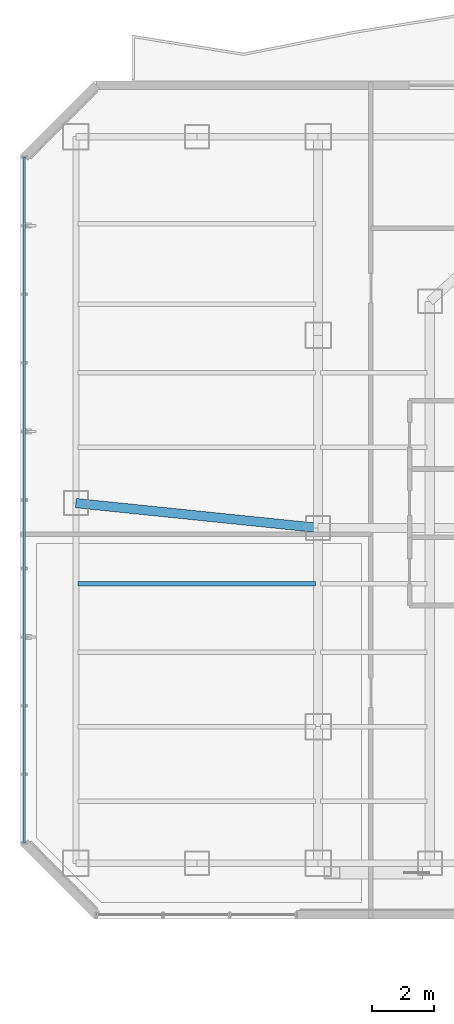
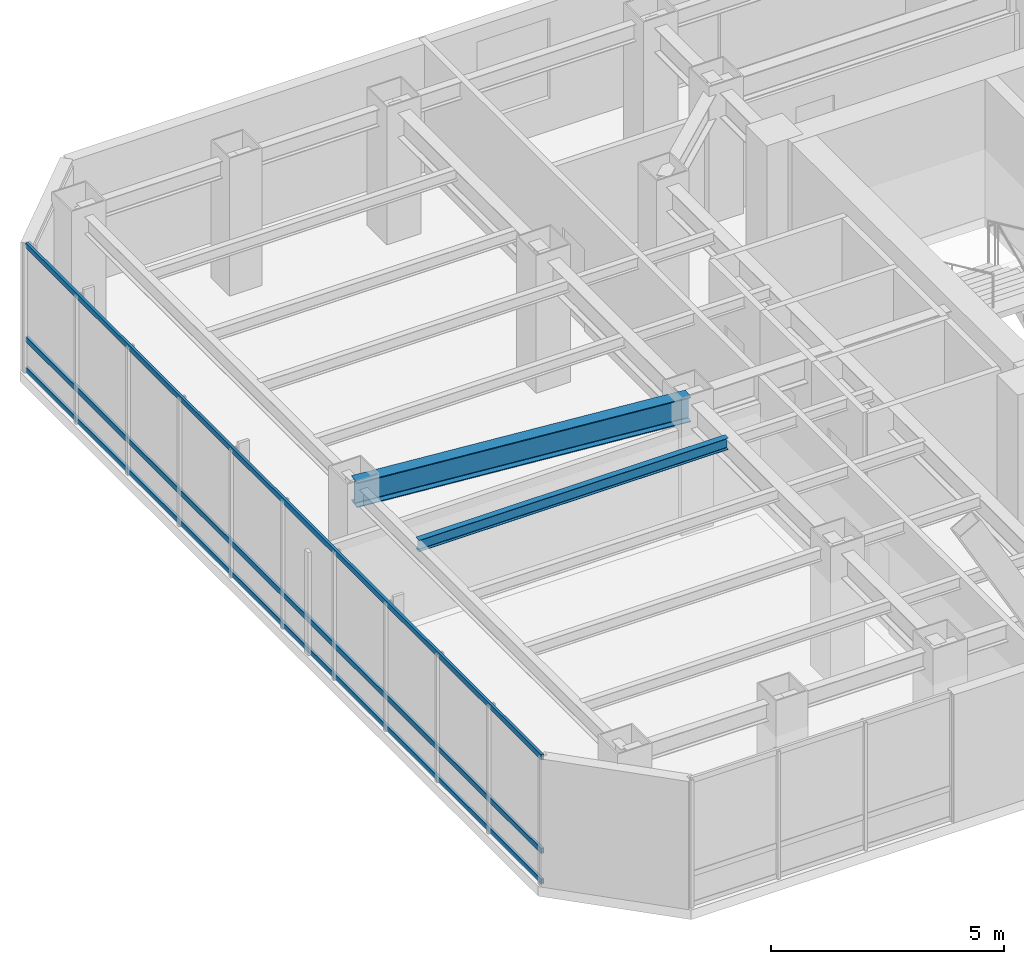
# One storey, part 7 of 28: 3 members, 2 beams, 1 element without a shape of its own.
"""IFC4 building model written with IfcOpenShell, lengths in metres."""

import ifcopenshell
import ifcopenshell.guid

model = None  # the IFC model being written
_history = None  # IfcOwnerHistory: only IFC2X3 demands one
_inside = {}  # id of a spatial element -> (the spatial element, [elements in it])
_under = {}  # id of a project, library or spatial element -> (it, [spatial elements below it])
_declared = {}  # id of a project -> (the project, [libraries it declares])
_typed = {}  # id of a type object -> (the type object, [elements of that type])
_made_of = {}  # id of a material, layer set ... -> (it, [elements and type objects made of it])


def new_model(schema):
    """Start an empty IFC model of exactly this schema.

    Asked for "IFC4X3", IfcOpenShell would pick the latest addendum, in which some entities
    have other attributes; the version numbers below select the first issue.
    IFC2X3 requires an IfcOwnerHistory on every rooted entity: one is made here for all.
    """
    global model, _history
    if schema == "IFC4X3":
        model = ifcopenshell.file(schema_version=(4, 3, 0, 0))
    else:
        model = ifcopenshell.file(schema=schema)
    _inside.clear()
    _under.clear()
    _declared.clear()
    _typed.clear()
    _made_of.clear()
    _history = None
    if model.schema == "IFC2X3":
        org = make("IfcOrganization", Name="unknown")
        user = make(
            "IfcPersonAndOrganization",
            ThePerson=make("IfcPerson", FamilyName="unknown"),
            TheOrganization=org,
        )
        app = make(
            "IfcApplication",
            ApplicationDeveloper=org,
            Version="unknown",
            ApplicationFullName="unknown",
            ApplicationIdentifier="unknown",
        )
        _history = make(
            "IfcOwnerHistory",
            OwningUser=user,
            OwningApplication=app,
            ChangeAction="ADDED",
            CreationDate=0,
        )
    return model


def make(cls, **values):
    """One entity of the class cls with the attributes given. An attribute that is None is left unset."""
    return model.create_entity(
        cls, **{name: value for name, value in values.items() if value is not None}
    )


def rooted(cls, **values):
    """An entity with a GlobalId (a new one), such as an element, a storey or a relation."""
    return make(cls, GlobalId=ifcopenshell.guid.new(), OwnerHistory=_history, **values)


def si_unit(unit_type, name, prefix=None):
    """IfcSIUnit, for example si_unit("LENGTHUNIT", "METRE", prefix="MILLI")."""
    return make("IfcSIUnit", UnitType=unit_type, Prefix=prefix, Name=name)


def assignment(units):
    """IfcUnitAssignment: the units of a project."""
    return None if units is None else make("IfcUnitAssignment", Units=units)


def point(xyz):
    """IfcCartesianPoint."""
    return None if xyz is None else make("IfcCartesianPoint", Coordinates=xyz)


def direction(xyz):
    """IfcDirection."""
    return None if xyz is None else make("IfcDirection", DirectionRatios=xyz)


def frame(location, z_axis=None, x_axis=None):
    """IfcAxis2Placement3D, a coordinate frame: its origin and axes. An axis left out is left unset."""
    return make(
        "IfcAxis2Placement3D",
        Location=point(location),
        Axis=direction(z_axis),
        RefDirection=direction(x_axis),
    )


def frame_2d(location, x_axis=None):
    """IfcAxis2Placement2D, a coordinate frame in the plane: its origin and x axis."""
    return make(
        "IfcAxis2Placement2D", Location=point(location), RefDirection=direction(x_axis)
    )


def origin():
    """The frame at (0, 0, 0) with its axes left unset."""
    return frame((0.0, 0.0, 0.0))


def origin_2d():
    """The frame at (0, 0) in the plane with its x axis left unset."""
    return frame_2d((0.0, 0.0))


def place(relative_to, where):
    """IfcLocalPlacement: puts the frame where relative to a parent placement (None: the world)."""
    return make(
        "IfcLocalPlacement", PlacementRelTo=relative_to, RelativePlacement=where
    )


def context(
    kind, dimensions, precision=None, world=None, true_north=None, identifier=None
):
    """IfcGeometricRepresentationContext, for example the 3D "Model" context."""
    return make(
        "IfcGeometricRepresentationContext",
        ContextIdentifier=identifier,
        ContextType=kind,
        CoordinateSpaceDimension=dimensions,
        Precision=precision,
        WorldCoordinateSystem=world,
        TrueNorth=true_north,
    )


def subcontext(parent, identifier, kind, view, scale=None):
    """IfcGeometricRepresentationSubContext, for example "Body" below "Model"."""
    return make(
        "IfcGeometricRepresentationSubContext",
        ContextIdentifier=identifier,
        ContextType=kind,
        ParentContext=parent,
        TargetScale=scale,
        TargetView=view,
    )


def project(units=None, contexts=None):
    """IfcProject with its units and contexts."""
    return rooted(
        "IfcProject",
        Name="project",
        RepresentationContexts=contexts,
        UnitsInContext=assignment(units),
    )


def spatial(cls, under=None, at=None, **own):
    """A site, building, storey or space (cls), placed at a placement, below another one or the project."""
    s = rooted(cls, ObjectPlacement=at, **own)
    if under is not None:
        _under.setdefault(under.id(), (under, []))[1].append(s)
    return s


def profile(cls, at=None, kind="AREA", **sizes):
    """A parametric profile (cls). Its sizes go by their IFC names, for example OverallWidth=200.0."""
    return make(cls, ProfileType=kind, Position=at, **sizes)


def hollow_rectangle(**sizes):
    """IfcRectangleHollowProfileDef."""
    return profile("IfcRectangleHollowProfileDef", **sizes)


def i_section(**sizes):
    """IfcIShapeProfileDef."""
    return profile("IfcIShapeProfileDef", **sizes)


def extrude(swept, where, along, depth):
    """IfcExtrudedAreaSolid: the profile swept, set in the frame where, extruded along a direction by depth."""
    return make(
        "IfcExtrudedAreaSolid",
        SweptArea=swept,
        Position=where,
        ExtrudedDirection=direction(along),
        Depth=depth,
    )


def shape(context_of_items, identifier, shape_type, items):
    """IfcShapeRepresentation: the items that make up one representation, for example the "Body"."""
    return make(
        "IfcShapeRepresentation",
        ContextOfItems=context_of_items,
        RepresentationIdentifier=identifier,
        RepresentationType=shape_type,
        Items=items,
    )


def material(Name=None, Category=None):
    """IfcMaterial."""
    return make("IfcMaterial", Name=Name, Category=Category)


def layer(
    of_material, thickness, ventilated=None, Name=None, Category=None, Priority=None
):
    """IfcMaterialLayer: one layer of a wall or slab, of a material (None: an air gap)."""
    return make(
        "IfcMaterialLayer",
        Material=of_material,
        LayerThickness=thickness,
        IsVentilated=ventilated,
        Name=Name,
        Category=Category,
        Priority=Priority,
    )


def layer_set(layers, Name=None):
    """IfcMaterialLayerSet."""
    return make("IfcMaterialLayerSet", MaterialLayers=layers, LayerSetName=Name)


def material_profile(
    of_material, cross_section, Name=None, Category=None, Priority=None
):
    """IfcMaterialProfile: a cross section and its material."""
    return make(
        "IfcMaterialProfile",
        Name=Name,
        Material=of_material,
        Profile=cross_section,
        Priority=Priority,
        Category=Category,
    )


def profile_set(profiles, Name=None, composite=None):
    """IfcMaterialProfileSet."""
    return make(
        "IfcMaterialProfileSet",
        Name=Name,
        MaterialProfiles=profiles,
        CompositeProfile=composite,
    )


def made_of(thing, what):
    """Note that an element or type object is made of a material, layer set ...; save() writes the relation."""
    if what is not None:
        _made_of.setdefault(what.id(), (what, []))[1].append(thing)
    return thing


def type_object(cls, material=None, **own):
    """A type object (cls), such as IfcWallType, which elements share."""
    return made_of(rooted(cls, **own), material)


def element(
    cls,
    number,
    at=None,
    inside=None,
    cuts=None,
    type_object=None,
    material=None,
    context=None,
    identifier="Body",
    shape_type=None,
    held_by="IfcProductDefinitionShape",
    body=None,
    shapes=None,
    **own,
):
    """One element of the class cls, such as IfcWall. Its Tag is "e" and its number.

    at: its placement. inside: the storey or other place that contains it. cuts: it is an
    opening in that element (IfcRelVoidsElement). A single representation is given by context,
    identifier, shape_type and body (its items); several are given by shapes. held_by: the class
    of the entity that holds the representations. save() writes the other relations.
    """
    e = rooted(cls, Tag="e%d" % number, ObjectPlacement=at, **own)
    if body is not None:
        shapes = [shape(context, identifier, shape_type, body)]
    if shapes is not None:
        e.Representation = make(held_by, Representations=shapes)
    if inside is not None:
        _inside.setdefault(inside.id(), (inside, []))[1].append(e)
    if cuts is not None:
        rooted(
            "IfcRelVoidsElement", RelatingBuildingElement=cuts, RelatedOpeningElement=e
        )
    if type_object is not None:
        _typed.setdefault(type_object.id(), (type_object, []))[1].append(e)
    return made_of(e, material)


def aggregate(whole, parts):
    """IfcRelAggregates: a whole, such as a stair, and the parts it consists of."""
    return rooted("IfcRelAggregates", RelatingObject=whole, RelatedObjects=parts)


def save(model, path):
    """Write the relations noted so far, then the file.

    IfcRelAggregates (storeys below a building ...), IfcRelContainedInSpatialStructure (elements
    in a storey), IfcRelDefinesByType, IfcRelAssociatesMaterial and IfcRelDeclares: one each for
    every whole, place, type object, material and project.
    """
    for whole, parts in _under.values():
        aggregate(whole, parts)
    for where, things in _inside.values():
        rooted(
            "IfcRelContainedInSpatialStructure",
            RelatedElements=things,
            RelatingStructure=where,
        )
    for kind, things in _typed.values():
        rooted("IfcRelDefinesByType", RelatedObjects=things, RelatingType=kind)
    for what, things in _made_of.values():
        rooted("IfcRelAssociatesMaterial", RelatedObjects=things, RelatingMaterial=what)
    for by, libraries in _declared.values():
        rooted("IfcRelDeclares", RelatingContext=by, RelatedDefinitions=libraries)
    model.write(path)


model = new_model("IFC4")

# Units and contexts
model_context = context("Model", 3, precision=1e-05, world=origin(), true_north=direction((0.0, 1.0)))
body_context = subcontext(model_context, "Body", "Model", "MODEL_VIEW")
ifc_project = project(units=[si_unit("LENGTHUNIT", "METRE"), si_unit("AREAUNIT", "SQUARE_METRE"), si_unit("VOLUMEUNIT", "CUBIC_METRE"), si_unit("PLANEANGLEUNIT", "RADIAN"), si_unit("MASSUNIT", "GRAM", prefix="KILO")], contexts=[model_context])

# Site, building, storey
site_placement = place(None, origin())
site = spatial("IfcSite", under=ifc_project, at=site_placement, CompositionType="ELEMENT")
building_placement = place(site_placement, origin())
building = spatial("IfcBuilding", under=site, at=building_placement, Name="Hatsunagi Terrace Concourse", CompositionType="ELEMENT")
storey_placement = place(building_placement, frame((0.0, 0.0, 138.449951171875)))
storey = spatial("IfcBuildingStorey", under=building, at=storey_placement, Name="L36", CompositionType="ELEMENT", Elevation=138.449951171875)

# Curtain wall, members
ifc_material_1 = material(Name="Anodised Aluminium Alloy 6063-T5", Category="aluminium")
ifc_layer = layer(ifc_material_1, 0.199951171875)
ifc_layer_set = layer_set([ifc_layer], Name="OfficeZone1_CW03")
curtain_wall_type = type_object("IfcCurtainWallType", Name="OfficeZone1_CW03", PredefinedType="NOTDEFINED", material=ifc_layer_set)
curtain_wall_placement = place(storey_placement, origin())
curtain_wall = element("IfcCurtainWall", 1, at=curtain_wall_placement, inside=storey, type_object=curtain_wall_type, Name="Unitised Curtain Wall CW-03 CW-L36-09", PredefinedType="NOTDEFINED")
ifc_material_2 = material(Name="Anodised Aluminium Alloy 6063-T5", Category="aluminium")
ifc_material_profile_1 = material_profile(ifc_material_2, hollow_rectangle(XDim=0.06494140625, YDim=0.139892578125, WallThickness=0.00390625, at=origin_2d()), Name="ALU-TRN-140x65x4")
ifc_profile_set_1 = profile_set([ifc_material_profile_1], Name="Anodised Aluminium Alloy 6063-T5")
member_type = type_object("IfcMemberType", Name="CurtainWallTransom_140x65", PredefinedType="USERDEFINED", material=ifc_profile_set_1)
member_1_placement = place(storey_placement, frame((9.739990234375, 25.85791015625, 0.050048828125), z_axis=(0.0, 1.0, 0.0), x_axis=(-1.0, 0.0, 0.0)))
member_1 = element("IfcMember", 2, at=member_1_placement, type_object=member_type, Name="Curtain Wall Transom TRN-02", ObjectType="TRANSOM", PredefinedType="USERDEFINED", context=body_context, shape_type="SweptSolid", body=[
    extrude(hollow_rectangle(XDim=0.06494140625, YDim=0.139892578125, WallThickness=0.00390625, at=origin_2d()), origin(), (0.0, 0.0, 1.0), 22.083984375),
])
member_2_placement = place(storey_placement, frame((9.739990234375, 25.85791015625, 0.85009765625), z_axis=(0.0, 1.0, 0.0), x_axis=(-1.0, 0.0, 0.0)))
member_2 = element("IfcMember", 3, at=member_2_placement, type_object=member_type, Name="Curtain Wall Transom TRN-02", ObjectType="TRANSOM", PredefinedType="USERDEFINED", context=body_context, shape_type="SweptSolid", body=[
    extrude(hollow_rectangle(XDim=0.06494140625, YDim=0.139892578125, WallThickness=0.00390625, at=origin_2d()), origin(), (0.0, 0.0, 1.0), 22.083984375),
])
member_3_placement = place(storey_placement, frame((9.739990234375, 25.85791015625, 3.300048828125), z_axis=(0.0, 1.0, 0.0), x_axis=(-1.0, 0.0, 0.0)))
member_3 = element("IfcMember", 4, at=member_3_placement, type_object=member_type, Name="Curtain Wall Transom TRN-02", ObjectType="TRANSOM", PredefinedType="USERDEFINED", context=body_context, shape_type="SweptSolid", body=[
    extrude(hollow_rectangle(XDim=0.06494140625, YDim=0.139892578125, WallThickness=0.00390625, at=origin_2d()), origin(), (0.0, 0.0, 1.0), 22.083984375),
])
aggregate(curtain_wall, [member_1, member_2, member_3])

# Beams
ifc_material_3 = material(Name="Steel SN490B", Category="steel")
ifc_material_profile_2 = material_profile(ifc_material_3, i_section(OverallWidth=0.14990234375, OverallDepth=0.300048828125, WebThickness=0.006591796875, FlangeThickness=0.009033203125, FilletRadius=0.010986328125, at=origin_2d()), Name="H-300x150x6.5x9")
ifc_profile_set_2 = profile_set([ifc_material_profile_2], Name="Steel SN490B")
beam_type_1 = type_object("IfcBeamType", Name="OfficeJoist_H_300x150", PredefinedType="JOIST", material=ifc_profile_set_2)
beam_1_placement = place(storey_placement, frame((11.465087890625, 34.199951171875, 3.199951171875), z_axis=(1.0, 0.0, 0.0), x_axis=(0.0, 1.0, 0.0)))
element("IfcBeam", 5, at=beam_1_placement, inside=storey, type_object=beam_type_1, Name="Beam J-03 J-L36-W-11-342", PredefinedType="JOIST", context=body_context, shape_type="SweptSolid", body=[
    extrude(i_section(OverallWidth=0.14990234375, OverallDepth=0.300048828125, WebThickness=0.006591796875, FlangeThickness=0.009033203125, FilletRadius=0.010986328125, at=origin_2d()), origin(), (0.0, 0.0, 1.0), 7.64990234375),
])
ifc_material_4 = material(Name="Steel SN490B", Category="steel")
ifc_material_profile_3 = material_profile(ifc_material_4, i_section(OverallWidth=0.300048828125, OverallDepth=0.64990234375, WebThickness=0.012939453125, FlangeThickness=0.02197265625, FilletRadius=0.01806640625, at=origin_2d()), Name="H-650x300x13x22")
ifc_profile_set_3 = profile_set([ifc_material_profile_3], Name="Steel SN490B")
beam_type_2 = type_object("IfcBeamType", Name="OfficeLowGirder_H_650x300", PredefinedType="BEAM", material=ifc_profile_set_3)
beam_2_placement = place(storey_placement, frame((11.39990234375, 36.800048828125, 3.025146484375), z_axis=(0.994780871372, -0.102034395927, 0.0), x_axis=(0.102034395927, 0.994780871372, 0.0)))
element("IfcBeam", 6, at=beam_2_placement, inside=storey, type_object=beam_type_2, Name="Beam G-05 BM-L36-EW-2", PredefinedType="BEAM", context=body_context, shape_type="SweptSolid", body=[
    extrude(i_section(OverallWidth=0.300048828125, OverallDepth=0.64990234375, WebThickness=0.012939453125, FlangeThickness=0.02197265625, FilletRadius=0.01806640625, at=origin_2d()), origin(), (0.0, 0.0, 1.0), 7.841064453125),
])

save(model, "model.ifc")
